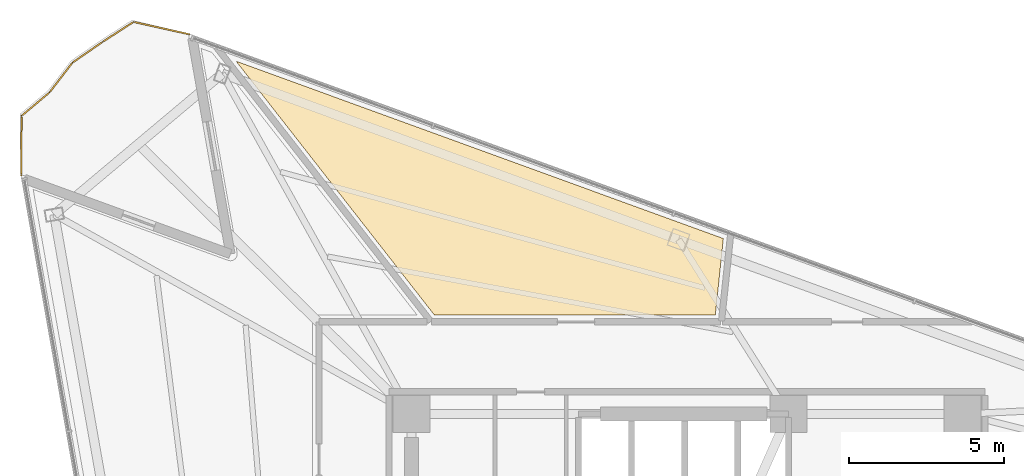
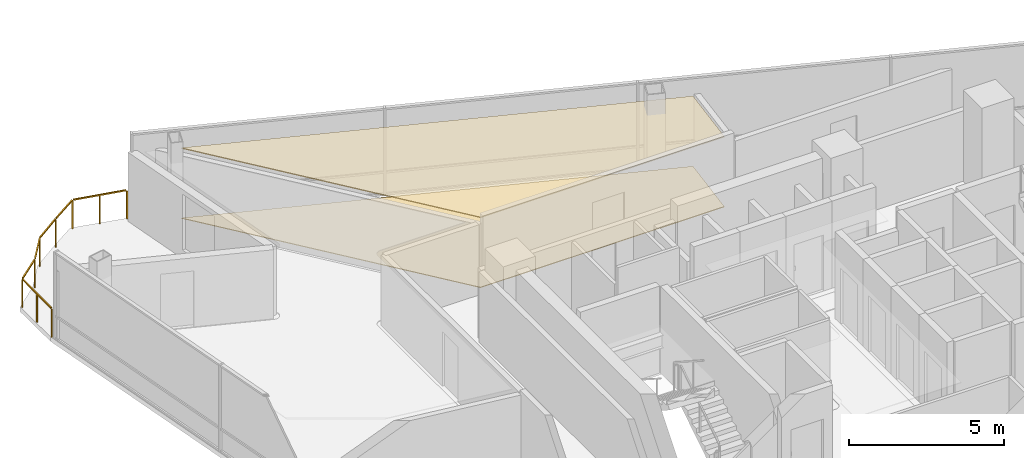
# One storey, part 16 of 16: 2 coverings, 1 railing.
"""IFC4 building model written with IfcOpenShell, lengths in metres."""

import ifcopenshell
import ifcopenshell.guid

model = None  # the IFC model being written
_history = None  # IfcOwnerHistory: only IFC2X3 demands one
_inside = {}  # id of a spatial element -> (the spatial element, [elements in it])
_under = {}  # id of a project, library or spatial element -> (it, [spatial elements below it])
_declared = {}  # id of a project -> (the project, [libraries it declares])
_typed = {}  # id of a type object -> (the type object, [elements of that type])
_made_of = {}  # id of a material, layer set ... -> (it, [elements and type objects made of it])


def new_model(schema):
    """Start an empty IFC model of exactly this schema.

    Asked for "IFC4X3", IfcOpenShell would pick the latest addendum, in which some entities
    have other attributes; the version numbers below select the first issue.
    IFC2X3 requires an IfcOwnerHistory on every rooted entity: one is made here for all.
    """
    global model, _history
    if schema == "IFC4X3":
        model = ifcopenshell.file(schema_version=(4, 3, 0, 0))
    else:
        model = ifcopenshell.file(schema=schema)
    _inside.clear()
    _under.clear()
    _declared.clear()
    _typed.clear()
    _made_of.clear()
    _history = None
    if model.schema == "IFC2X3":
        org = make("IfcOrganization", Name="unknown")
        user = make(
            "IfcPersonAndOrganization",
            ThePerson=make("IfcPerson", FamilyName="unknown"),
            TheOrganization=org,
        )
        app = make(
            "IfcApplication",
            ApplicationDeveloper=org,
            Version="unknown",
            ApplicationFullName="unknown",
            ApplicationIdentifier="unknown",
        )
        _history = make(
            "IfcOwnerHistory",
            OwningUser=user,
            OwningApplication=app,
            ChangeAction="ADDED",
            CreationDate=0,
        )
    return model


def make(cls, **values):
    """One entity of the class cls with the attributes given. An attribute that is None is left unset."""
    return model.create_entity(
        cls, **{name: value for name, value in values.items() if value is not None}
    )


def rooted(cls, **values):
    """An entity with a GlobalId (a new one), such as an element, a storey or a relation."""
    return make(cls, GlobalId=ifcopenshell.guid.new(), OwnerHistory=_history, **values)


def si_unit(unit_type, name, prefix=None):
    """IfcSIUnit, for example si_unit("LENGTHUNIT", "METRE", prefix="MILLI")."""
    return make("IfcSIUnit", UnitType=unit_type, Prefix=prefix, Name=name)


def assignment(units):
    """IfcUnitAssignment: the units of a project."""
    return None if units is None else make("IfcUnitAssignment", Units=units)


def point(xyz):
    """IfcCartesianPoint."""
    return None if xyz is None else make("IfcCartesianPoint", Coordinates=xyz)


def direction(xyz):
    """IfcDirection."""
    return None if xyz is None else make("IfcDirection", DirectionRatios=xyz)


def frame(location, z_axis=None, x_axis=None):
    """IfcAxis2Placement3D, a coordinate frame: its origin and axes. An axis left out is left unset."""
    return make(
        "IfcAxis2Placement3D",
        Location=point(location),
        Axis=direction(z_axis),
        RefDirection=direction(x_axis),
    )


def frame_2d(location, x_axis=None):
    """IfcAxis2Placement2D, a coordinate frame in the plane: its origin and x axis."""
    return make(
        "IfcAxis2Placement2D", Location=point(location), RefDirection=direction(x_axis)
    )


def origin():
    """The frame at (0, 0, 0) with its axes left unset."""
    return frame((0.0, 0.0, 0.0))


def origin_2d():
    """The frame at (0, 0) in the plane with its x axis left unset."""
    return frame_2d((0.0, 0.0))


def place(relative_to, where):
    """IfcLocalPlacement: puts the frame where relative to a parent placement (None: the world)."""
    return make(
        "IfcLocalPlacement", PlacementRelTo=relative_to, RelativePlacement=where
    )


def context(
    kind, dimensions, precision=None, world=None, true_north=None, identifier=None
):
    """IfcGeometricRepresentationContext, for example the 3D "Model" context."""
    return make(
        "IfcGeometricRepresentationContext",
        ContextIdentifier=identifier,
        ContextType=kind,
        CoordinateSpaceDimension=dimensions,
        Precision=precision,
        WorldCoordinateSystem=world,
        TrueNorth=true_north,
    )


def subcontext(parent, identifier, kind, view, scale=None):
    """IfcGeometricRepresentationSubContext, for example "Body" below "Model"."""
    return make(
        "IfcGeometricRepresentationSubContext",
        ContextIdentifier=identifier,
        ContextType=kind,
        ParentContext=parent,
        TargetScale=scale,
        TargetView=view,
    )


def project(units=None, contexts=None):
    """IfcProject with its units and contexts."""
    return rooted(
        "IfcProject",
        Name="project",
        RepresentationContexts=contexts,
        UnitsInContext=assignment(units),
    )


def spatial(cls, under=None, at=None, **own):
    """A site, building, storey or space (cls), placed at a placement, below another one or the project."""
    s = rooted(cls, ObjectPlacement=at, **own)
    if under is not None:
        _under.setdefault(under.id(), (under, []))[1].append(s)
    return s


def polyline(points):
    """IfcPolyline through the points."""
    return make("IfcPolyline", Points=[point(p) for p in points])


def profile(cls, at=None, kind="AREA", **sizes):
    """A parametric profile (cls). Its sizes go by their IFC names, for example OverallWidth=200.0."""
    return make(cls, ProfileType=kind, Position=at, **sizes)


def rectangle(**sizes):
    """IfcRectangleProfileDef."""
    return profile("IfcRectangleProfileDef", **sizes)


def outline(outer, holes=None, kind="AREA"):
    """IfcArbitraryClosedProfileDef: a profile drawn as a closed curve; with holes, ...WithVoids."""
    if holes is None:
        return make("IfcArbitraryClosedProfileDef", ProfileType=kind, OuterCurve=outer)
    return make(
        "IfcArbitraryProfileDefWithVoids",
        ProfileType=kind,
        OuterCurve=outer,
        InnerCurves=holes,
    )


def extrude(swept, where, along, depth):
    """IfcExtrudedAreaSolid: the profile swept, set in the frame where, extruded along a direction by depth."""
    return make(
        "IfcExtrudedAreaSolid",
        SweptArea=swept,
        Position=where,
        ExtrudedDirection=direction(along),
        Depth=depth,
    )


def shape(context_of_items, identifier, shape_type, items):
    """IfcShapeRepresentation: the items that make up one representation, for example the "Body"."""
    return make(
        "IfcShapeRepresentation",
        ContextOfItems=context_of_items,
        RepresentationIdentifier=identifier,
        RepresentationType=shape_type,
        Items=items,
    )


def material(Name=None, Category=None):
    """IfcMaterial."""
    return make("IfcMaterial", Name=Name, Category=Category)


def layer(
    of_material, thickness, ventilated=None, Name=None, Category=None, Priority=None
):
    """IfcMaterialLayer: one layer of a wall or slab, of a material (None: an air gap)."""
    return make(
        "IfcMaterialLayer",
        Material=of_material,
        LayerThickness=thickness,
        IsVentilated=ventilated,
        Name=Name,
        Category=Category,
        Priority=Priority,
    )


def layer_set(layers, Name=None):
    """IfcMaterialLayerSet."""
    return make("IfcMaterialLayerSet", MaterialLayers=layers, LayerSetName=Name)


def made_of(thing, what):
    """Note that an element or type object is made of a material, layer set ...; save() writes the relation."""
    if what is not None:
        _made_of.setdefault(what.id(), (what, []))[1].append(thing)
    return thing


def type_object(cls, material=None, **own):
    """A type object (cls), such as IfcWallType, which elements share."""
    return made_of(rooted(cls, **own), material)


def element(
    cls,
    number,
    at=None,
    inside=None,
    cuts=None,
    type_object=None,
    material=None,
    context=None,
    identifier="Body",
    shape_type=None,
    held_by="IfcProductDefinitionShape",
    body=None,
    shapes=None,
    **own,
):
    """One element of the class cls, such as IfcWall. Its Tag is "e" and its number.

    at: its placement. inside: the storey or other place that contains it. cuts: it is an
    opening in that element (IfcRelVoidsElement). A single representation is given by context,
    identifier, shape_type and body (its items); several are given by shapes. held_by: the class
    of the entity that holds the representations. save() writes the other relations.
    """
    e = rooted(cls, Tag="e%d" % number, ObjectPlacement=at, **own)
    if body is not None:
        shapes = [shape(context, identifier, shape_type, body)]
    if shapes is not None:
        e.Representation = make(held_by, Representations=shapes)
    if inside is not None:
        _inside.setdefault(inside.id(), (inside, []))[1].append(e)
    if cuts is not None:
        rooted(
            "IfcRelVoidsElement", RelatingBuildingElement=cuts, RelatedOpeningElement=e
        )
    if type_object is not None:
        _typed.setdefault(type_object.id(), (type_object, []))[1].append(e)
    return made_of(e, material)


def aggregate(whole, parts):
    """IfcRelAggregates: a whole, such as a stair, and the parts it consists of."""
    return rooted("IfcRelAggregates", RelatingObject=whole, RelatedObjects=parts)


def save(model, path):
    """Write the relations noted so far, then the file.

    IfcRelAggregates (storeys below a building ...), IfcRelContainedInSpatialStructure (elements
    in a storey), IfcRelDefinesByType, IfcRelAssociatesMaterial and IfcRelDeclares: one each for
    every whole, place, type object, material and project.
    """
    for whole, parts in _under.values():
        aggregate(whole, parts)
    for where, things in _inside.values():
        rooted(
            "IfcRelContainedInSpatialStructure",
            RelatedElements=things,
            RelatingStructure=where,
        )
    for kind, things in _typed.values():
        rooted("IfcRelDefinesByType", RelatedObjects=things, RelatingType=kind)
    for what, things in _made_of.values():
        rooted("IfcRelAssociatesMaterial", RelatedObjects=things, RelatingMaterial=what)
    for by, libraries in _declared.values():
        rooted("IfcRelDeclares", RelatingContext=by, RelatedDefinitions=libraries)
    model.write(path)


model = new_model("IFC4")

# Units and contexts
model_context = context("Model", 3, precision=1e-05, world=origin(), true_north=direction((0.0, 1.0)))
body_context = subcontext(model_context, "Body", "Model", "MODEL_VIEW")
ifc_project = project(units=[si_unit("LENGTHUNIT", "METRE"), si_unit("AREAUNIT", "SQUARE_METRE"), si_unit("VOLUMEUNIT", "CUBIC_METRE"), si_unit("PLANEANGLEUNIT", "RADIAN"), si_unit("MASSUNIT", "GRAM", prefix="KILO")], contexts=[model_context])

# Site, building, storey
site_placement = place(None, origin())
site = spatial("IfcSite", under=ifc_project, at=site_placement, CompositionType="ELEMENT")
building_placement = place(site_placement, origin())
building = spatial("IfcBuilding", under=site, at=building_placement, Name="Tharavind Bronze Gate", CompositionType="ELEMENT")
storey_placement = place(building_placement, frame((0.0, 0.0, 170.5)))
storey = spatial("IfcBuildingStorey", under=building, at=storey_placement, Name="L43", CompositionType="ELEMENT", Elevation=170.5)

# Coverings
ifc_material_1 = material(Name="Perforated Bronze Acoustic Panel", Category="bronze")
ifc_layer_1 = layer(ifc_material_1, 0.044921875)
ifc_layer_set_1 = layer_set([ifc_layer_1], Name="Perforated Bronze Acoustic Panel")
covering_type_1 = type_object("IfcCoveringType", Name="ACOUSTIC BRONZE BAFFLE CEILING", PredefinedType="CEILING", material=ifc_layer_set_1)
covering_1_placement = place(storey_placement, frame((0.0, 0.0, 2.75)))
element("IfcCovering", 1, at=covering_1_placement, inside=storey, type_object=covering_type_1, Name="L43-RM-02 suspended ceiling", PredefinedType="CEILING", context=body_context, shape_type="SweptSolid", body=[
    extrude(outline(polyline([(-8.15869140625, 10.800048828125), (0.913818359375, 10.800048828125), (1.17333984375, 13.268310546875), (-14.561767578125, 18.99560546875), (-8.15869140625, 10.800048828125)])), origin(), (0.0, 0.0, 1.0), 0.034912109375),
])
ifc_material_2 = material(Name="Engineered Oak & Carpet Tile", Category="wood")
ifc_layer_2 = layer(ifc_material_2, 0.02490234375)
ifc_layer_set_2 = layer_set([ifc_layer_2], Name="Engineered Oak & Carpet Tile")
covering_type_2 = type_object("IfcCoveringType", Name="ENGINEERED TIMBER FLOORING", PredefinedType="FLOORING", material=ifc_layer_set_2)
covering_2_placement = place(storey_placement, origin())
element("IfcCovering", 2, at=covering_2_placement, inside=storey, type_object=covering_type_2, Name="L43-RM-02 floor finish", PredefinedType="FLOORING", context=body_context, shape_type="SweptSolid", body=[
    extrude(outline(polyline([(-8.15869140625, 10.800048828125), (0.913818359375, 10.800048828125), (1.17333984375, 13.268310546875), (-14.561767578125, 18.99560546875), (-8.15869140625, 10.800048828125)])), origin(), (0.0, 0.0, 1.0), 0.02490234375),
])

# Railing
ifc_material_3 = material(Name="Bronze Cap & Laminated Glass", Category="glass")
railing_type = type_object("IfcRailingType", Name="TERRACE GLASS GUARD RAILING 1150", PredefinedType="GUARDRAIL", material=ifc_material_3)
railing_placement = place(storey_placement, frame((-21.49951171875, 15.31494140625, 0.0)))
element("IfcRailing", 3, at=railing_placement, inside=storey, type_object=railing_type, Name="L43 tree balcony guard railing", PredefinedType="GUARDRAIL", context=body_context, shape_type="SweptSolid", body=[
    extrude(rectangle(XDim=0.048095703125, YDim=0.048095703125, at=origin_2d()), frame((0.000244140625, 0.031982421875, 1.1259765625), z_axis=(0.006244302881, 0.999980504151, 0.0), x_axis=(-0.999980504151, 0.006244302881, 0.0)), (0.0, 0.0, 1.0), 1.851806640625),
    extrude(rectangle(XDim=0.048095703125, YDim=0.048095703125, at=origin_2d()), frame((0.036376953125, 1.936279296875, 1.1259765625), z_axis=(0.765977892633, 0.642866913131, 0.0), x_axis=(-0.642866913131, 0.765977892633, 0.0)), (0.0, 0.0, 1.0), 1.115966796875),
    extrude(rectangle(XDim=0.048095703125, YDim=0.048095703125, at=origin_2d()), frame((0.935302734375, 2.69970703125, 1.1259765625), z_axis=(0.609749815727, 0.79259394536, 0.0), x_axis=(-0.79259394536, 0.609749815727, 0.0)), (0.0, 0.0, 1.0), 1.144287109375),
    extrude(rectangle(XDim=0.048095703125, YDim=0.048095703125, at=origin_2d()), frame((1.678955078125, 3.650146484375, 1.1259765625), z_axis=(0.823524708497, 0.567280402001, 0.0), x_axis=(-0.567280402001, 0.823524708497, 0.0)), (0.0, 0.0, 1.0), 1.121337890625),
    extrude(rectangle(XDim=0.048095703125, YDim=0.048095703125, at=origin_2d()), frame((2.655517578125, 4.32177734375, 1.1259765625), z_axis=(0.840015987987, 0.5425616462, 0.0), x_axis=(-0.5425616462, 0.840015987987, 0.0)), (0.0, 0.0, 1.0), 1.125244140625),
    extrude(rectangle(XDim=0.048095703125, YDim=0.048095703125, at=origin_2d()), frame((3.658935546875, 4.94287109375, 1.1259765625), z_axis=(0.976205791901, -0.216846147902, 0.0), x_axis=(0.216846147902, 0.976205791901, 0.0)), (0.0, 0.0, 1.0), 1.775634765625),
    extrude(rectangle(XDim=0.0400390625, YDim=0.0400390625, at=origin_2d()), origin(), (0.0, 0.0, 1.0), 1.097900390625),
    extrude(rectangle(XDim=0.0400390625, YDim=0.0400390625, at=origin_2d()), frame((0.005859375, 0.9580078125, 0.0)), (0.0, 0.0, 1.0), 1.097900390625),
    extrude(rectangle(XDim=0.0400390625, YDim=0.0400390625, at=origin_2d()), frame((0.011962890625, 1.915771484375, 0.0)), (0.0, 0.0, 1.0), 1.097900390625),
    extrude(rectangle(XDim=0.0400390625, YDim=0.0400390625, at=origin_2d()), frame((0.915771484375, 2.67431640625, 0.0)), (0.0, 0.0, 1.0), 1.097900390625),
    extrude(rectangle(XDim=0.0400390625, YDim=0.0400390625, at=origin_2d()), frame((1.652587890625, 3.632080078125, 0.0)), (0.0, 0.0, 1.0), 1.097900390625),
    extrude(rectangle(XDim=0.0400390625, YDim=0.0400390625, at=origin_2d()), frame((2.628662109375, 4.304443359375, 0.0)), (0.0, 0.0, 1.0), 1.097900390625),
    extrude(rectangle(XDim=0.0400390625, YDim=0.0400390625, at=origin_2d()), frame((3.627685546875, 4.94970703125, 0.0)), (0.0, 0.0, 1.0), 1.097900390625),
    extrude(rectangle(XDim=0.0400390625, YDim=0.0400390625, at=origin_2d()), frame((4.525634765625, 4.750244140625, 0.0)), (0.0, 0.0, 1.0), 1.097900390625),
    extrude(rectangle(XDim=0.0400390625, YDim=0.0400390625, at=origin_2d()), frame((5.423583984375, 4.55078125, 0.0)), (0.0, 0.0, 1.0), 1.097900390625),
])

save(model, "model.ifc")
